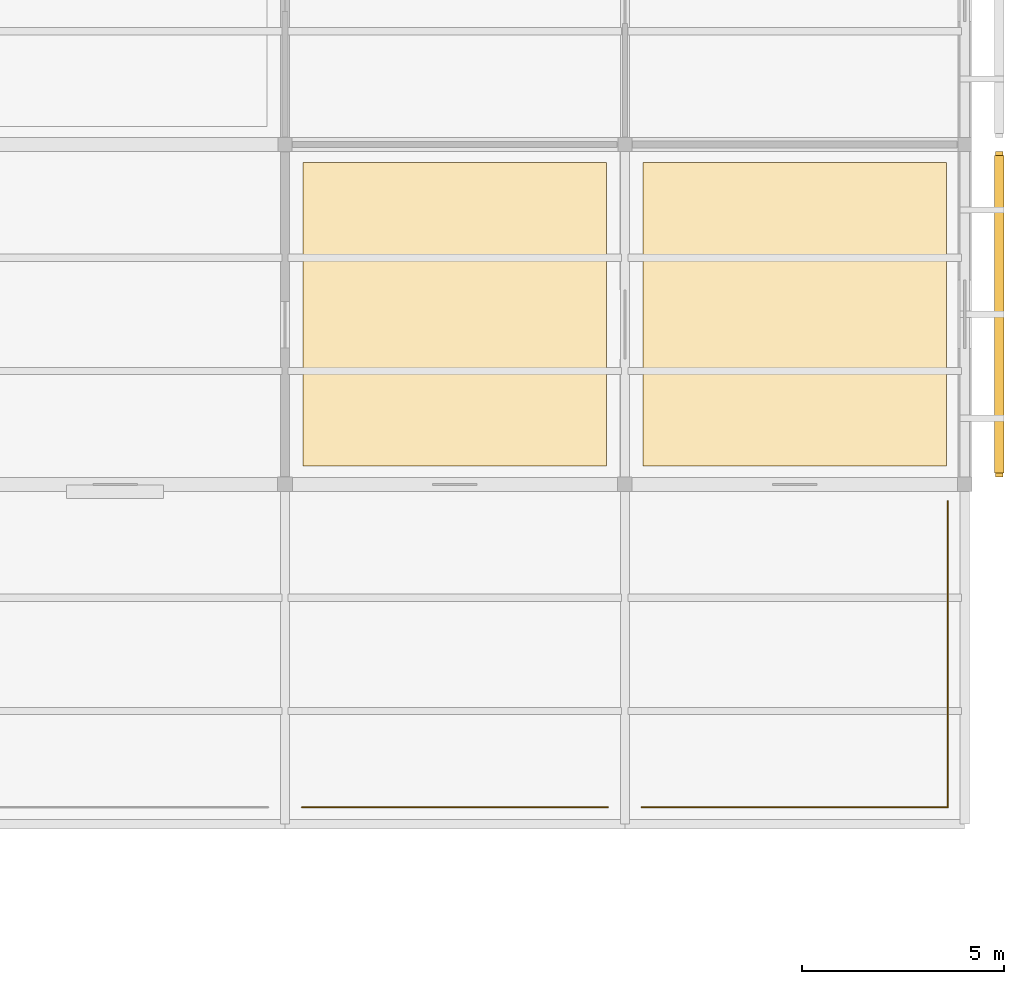
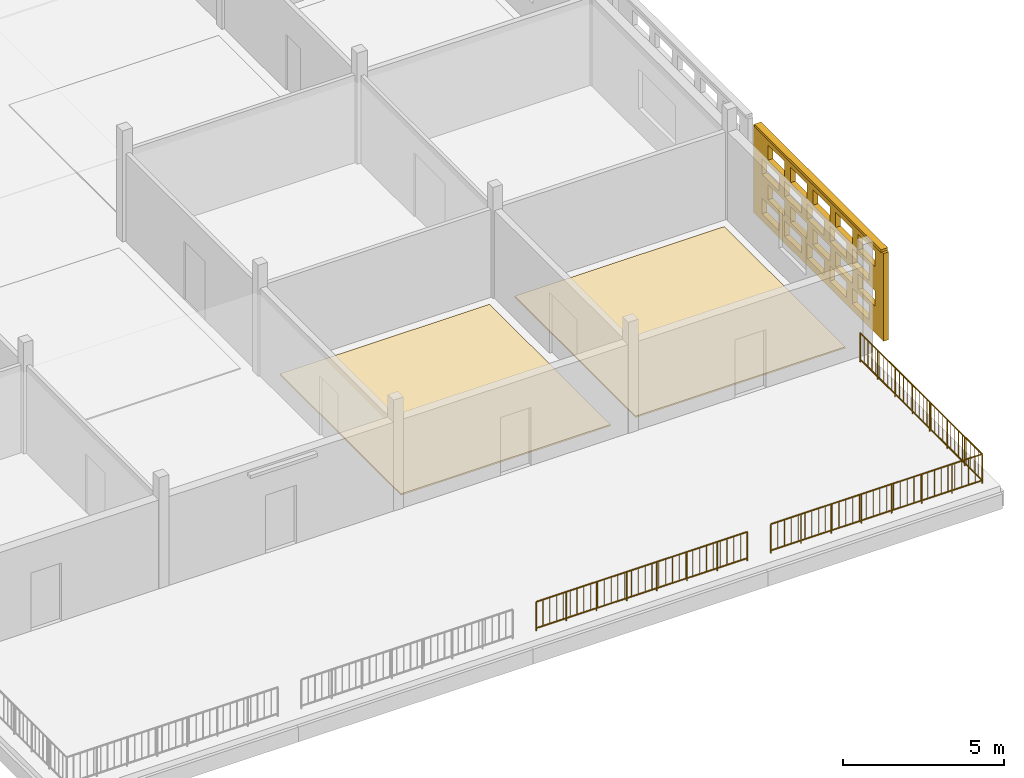
# One storey, part 97 of 103: 3 coverings, 3 railings, 1 shading device, 20 openings.
"""IFC4 building model written with IfcOpenShell, lengths in metres."""

from ifc_helpers import new_model, si_unit, direction, frame, frame_2d, origin, origin_2d, place, context, subcontext, project, spatial, rectangle, circle, extrude, material, layer, layer_set, type_object, element, save


model = new_model("IFC4")

# Units and contexts
model_context = context("Model", 3, precision=1e-05, world=origin(), true_north=direction((0.0, 1.0)))
body_context = subcontext(model_context, "Body", "Model", "MODEL_VIEW")
ifc_project = project(units=[si_unit("LENGTHUNIT", "METRE"), si_unit("AREAUNIT", "SQUARE_METRE"), si_unit("VOLUMEUNIT", "CUBIC_METRE"), si_unit("PLANEANGLEUNIT", "RADIAN"), si_unit("MASSUNIT", "GRAM", prefix="KILO")], contexts=[model_context])

# Site, building, storey
site_placement = place(None, origin())
site = spatial("IfcSite", under=ifc_project, at=site_placement, CompositionType="ELEMENT")
building_placement = place(site_placement, origin())
building = spatial("IfcBuilding", under=site, at=building_placement, Name="Varnapada Polytechnic", CompositionType="ELEMENT")
storey_placement = place(building_placement, frame((0.0, 0.0, 18.0)))
storey = spatial("IfcBuildingStorey", under=building, at=storey_placement, Name="L04", CompositionType="ELEMENT", Elevation=18.0)

# Coverings
ifc_material_1 = material(Name="End-Grain Timber Studio Block Flooring", Category="wood")
ifc_layer_1 = layer(ifc_material_1, 0.054931640625)
ifc_layer_set_1 = layer_set([ifc_layer_1], Name="End-Grain Timber Studio Block Flooring")
covering_type_1 = type_object("IfcCoveringType", Name="Floor Finish FLR-04", PredefinedType="FLOORING", material=ifc_layer_set_1)
for number, where, z_axis, x_axis, name in (
    (1, (163.800048828125, 71.39990234375, 0.0), (0.0, 0.0, 1.0), (1.0, 0.0, 0.0), "L04 floor finish panel (20,9)"),
    (2, (172.199951171875, 71.39990234375, 0.0), (0.0, 0.0, 1.0), (1.0, 0.0, 0.0), "L04 floor finish panel (21,9)"),
):
    element("IfcCovering", number, at=place(storey_placement, frame(where, z_axis=z_axis, x_axis=x_axis)), inside=storey, type_object=covering_type_1, Name=name, PredefinedType="FLOORING", context=body_context, shape_type="SweptSolid", body=[
        extrude(rectangle(XDim=7.5, YDim=7.5, at=origin_2d()), origin(), (0.0, 0.0, 1.0), 0.054931640625),
    ])

# Railings
ifc_material_2 = material(Name="Painted galvanized steel", Category="steel")
railing_type = type_object("IfcRailingType", Name="Terrace Guard Rail GRD-01", PredefinedType="BALUSTRADE", material=ifc_material_2)
railing_1_placement = place(storey_placement, frame((160.02001953125, 59.219970703125, 0.0)))
element("IfcRailing", 3, at=railing_1_placement, inside=storey, type_object=railing_type, Name="L04 terrace perimeter guard rail 9", PredefinedType="BALUSTRADE", context=body_context, shape_type="SweptSolid", body=[
    extrude(circle(Radius=0.02392578125, at=origin_2d()), frame((0.0, 0.0, 1.09619140625), z_axis=(1.0, 0.0, 0.0), x_axis=(0.0, 1.0, 0.0)), (0.0, 0.0, 1.0), 7.56005859375),
    extrude(circle(Radius=0.02392578125, at=origin_2d()), frame((0.0, 0.0, 0.10009765625), z_axis=(1.0, 0.0, 0.0), x_axis=(0.0, 1.0, 0.0)), (0.0, 0.0, 1.0), 7.56005859375),
    extrude(circle(Radius=0.02099609375, at=origin_2d()), origin(), (0.0, 0.0, 1.0), 1.072021484375),
    extrude(circle(Radius=0.02099609375, at=origin_2d()), frame((1.080078125, 0.0, 0.0)), (0.0, 0.0, 1.0), 1.072021484375),
    extrude(circle(Radius=0.02099609375, at=origin_2d()), frame((2.159912109375, 0.0, 0.0)), (0.0, 0.0, 1.0), 1.072021484375),
    extrude(circle(Radius=0.02099609375, at=origin_2d()), frame((3.239990234375, 0.0, 0.0)), (0.0, 0.0, 1.0), 1.072021484375),
    extrude(circle(Radius=0.02099609375, at=origin_2d()), frame((4.320068359375, 0.0, 0.0)), (0.0, 0.0, 1.0), 1.072021484375),
    extrude(circle(Radius=0.02099609375, at=origin_2d()), frame((5.400146484375, 0.0, 0.0)), (0.0, 0.0, 1.0), 1.072021484375),
    extrude(circle(Radius=0.02099609375, at=origin_2d()), frame((6.47998046875, 0.0, 0.0)), (0.0, 0.0, 1.0), 1.072021484375),
    extrude(circle(Radius=0.02099609375, at=origin_2d()), frame((7.56005859375, 0.0, 0.0)), (0.0, 0.0, 1.0), 1.072021484375),
    extrude(circle(Radius=0.010009765625, at=origin_2d()), frame((0.243896484375, 0.0, 0.10009765625)), (0.0, 0.0, 1.0), 0.971923828125),
    extrude(circle(Radius=0.010009765625, at=origin_2d()), frame((0.48779296875, 0.0, 0.10009765625)), (0.0, 0.0, 1.0), 0.971923828125),
    extrude(circle(Radius=0.010009765625, at=origin_2d()), frame((0.731689453125, 0.0, 0.10009765625)), (0.0, 0.0, 1.0), 0.971923828125),
    extrude(circle(Radius=0.010009765625, at=origin_2d()), frame((0.9755859375, 0.0, 0.10009765625)), (0.0, 0.0, 1.0), 0.971923828125),
    extrude(circle(Radius=0.010009765625, at=origin_2d()), frame((1.219482421875, 0.0, 0.10009765625)), (0.0, 0.0, 1.0), 0.971923828125),
    extrude(circle(Radius=0.010009765625, at=origin_2d()), frame((1.463134765625, 0.0, 0.10009765625)), (0.0, 0.0, 1.0), 0.971923828125),
    extrude(circle(Radius=0.010009765625, at=origin_2d()), frame((1.70703125, 0.0, 0.10009765625)), (0.0, 0.0, 1.0), 0.971923828125),
    extrude(circle(Radius=0.010009765625, at=origin_2d()), frame((1.950927734375, 0.0, 0.10009765625)), (0.0, 0.0, 1.0), 0.971923828125),
    extrude(circle(Radius=0.010009765625, at=origin_2d()), frame((2.19482421875, 0.0, 0.10009765625)), (0.0, 0.0, 1.0), 0.971923828125),
    extrude(circle(Radius=0.010009765625, at=origin_2d()), frame((2.438720703125, 0.0, 0.10009765625)), (0.0, 0.0, 1.0), 0.971923828125),
    extrude(circle(Radius=0.010009765625, at=origin_2d()), frame((2.6826171875, 0.0, 0.10009765625)), (0.0, 0.0, 1.0), 0.971923828125),
    extrude(circle(Radius=0.010009765625, at=origin_2d()), frame((2.926513671875, 0.0, 0.10009765625)), (0.0, 0.0, 1.0), 0.971923828125),
    extrude(circle(Radius=0.010009765625, at=origin_2d()), frame((3.17041015625, 0.0, 0.10009765625)), (0.0, 0.0, 1.0), 0.971923828125),
    extrude(circle(Radius=0.010009765625, at=origin_2d()), frame((3.414306640625, 0.0, 0.10009765625)), (0.0, 0.0, 1.0), 0.971923828125),
    extrude(circle(Radius=0.010009765625, at=origin_2d()), frame((3.658203125, 0.0, 0.10009765625)), (0.0, 0.0, 1.0), 0.971923828125),
    extrude(circle(Radius=0.010009765625, at=origin_2d()), frame((3.90185546875, 0.0, 0.10009765625)), (0.0, 0.0, 1.0), 0.971923828125),
    extrude(circle(Radius=0.010009765625, at=origin_2d()), frame((4.145751953125, 0.0, 0.10009765625)), (0.0, 0.0, 1.0), 0.971923828125),
    extrude(circle(Radius=0.010009765625, at=origin_2d()), frame((4.3896484375, 0.0, 0.10009765625)), (0.0, 0.0, 1.0), 0.971923828125),
    extrude(circle(Radius=0.010009765625, at=origin_2d()), frame((4.633544921875, 0.0, 0.10009765625)), (0.0, 0.0, 1.0), 0.971923828125),
    extrude(circle(Radius=0.010009765625, at=origin_2d()), frame((4.87744140625, 0.0, 0.10009765625)), (0.0, 0.0, 1.0), 0.971923828125),
    extrude(circle(Radius=0.010009765625, at=origin_2d()), frame((5.121337890625, 0.0, 0.10009765625)), (0.0, 0.0, 1.0), 0.971923828125),
    extrude(circle(Radius=0.010009765625, at=origin_2d()), frame((5.365234375, 0.0, 0.10009765625)), (0.0, 0.0, 1.0), 0.971923828125),
    extrude(circle(Radius=0.010009765625, at=origin_2d()), frame((5.609130859375, 0.0, 0.10009765625)), (0.0, 0.0, 1.0), 0.971923828125),
    extrude(circle(Radius=0.010009765625, at=origin_2d()), frame((5.85302734375, 0.0, 0.10009765625)), (0.0, 0.0, 1.0), 0.971923828125),
    extrude(circle(Radius=0.010009765625, at=origin_2d()), frame((6.096923828125, 0.0, 0.10009765625)), (0.0, 0.0, 1.0), 0.971923828125),
    extrude(circle(Radius=0.010009765625, at=origin_2d()), frame((6.340576171875, 0.0, 0.10009765625)), (0.0, 0.0, 1.0), 0.971923828125),
    extrude(circle(Radius=0.010009765625, at=origin_2d()), frame((6.58447265625, 0.0, 0.10009765625)), (0.0, 0.0, 1.0), 0.971923828125),
    extrude(circle(Radius=0.010009765625, at=origin_2d()), frame((6.828369140625, 0.0, 0.10009765625)), (0.0, 0.0, 1.0), 0.971923828125),
    extrude(circle(Radius=0.010009765625, at=origin_2d()), frame((7.072265625, 0.0, 0.10009765625)), (0.0, 0.0, 1.0), 0.971923828125),
    extrude(circle(Radius=0.010009765625, at=origin_2d()), frame((7.316162109375, 0.0, 0.10009765625)), (0.0, 0.0, 1.0), 0.971923828125),
])
railing_2_placement = place(storey_placement, frame((168.419921875, 59.219970703125, 0.0)))
element("IfcRailing", 4, at=railing_2_placement, inside=storey, type_object=railing_type, Name="L04 terrace perimeter guard rail 10", PredefinedType="BALUSTRADE", context=body_context, shape_type="SweptSolid", body=[
    extrude(circle(Radius=0.02392578125, at=origin_2d()), frame((0.0, 0.0, 1.09619140625), z_axis=(1.0, 0.0, 0.0), x_axis=(0.0, 1.0, 0.0)), (0.0, 0.0, 1.0), 7.56005859375),
    extrude(circle(Radius=0.02392578125, at=origin_2d()), frame((0.0, 0.0, 0.10009765625), z_axis=(1.0, 0.0, 0.0), x_axis=(0.0, 1.0, 0.0)), (0.0, 0.0, 1.0), 7.56005859375),
    extrude(circle(Radius=0.02099609375, at=origin_2d()), origin(), (0.0, 0.0, 1.0), 1.072021484375),
    extrude(circle(Radius=0.02099609375, at=origin_2d()), frame((1.080078125, 0.0, 0.0)), (0.0, 0.0, 1.0), 1.072021484375),
    extrude(circle(Radius=0.02099609375, at=origin_2d()), frame((2.159912109375, 0.0, 0.0)), (0.0, 0.0, 1.0), 1.072021484375),
    extrude(circle(Radius=0.02099609375, at=origin_2d()), frame((3.239990234375, 0.0, 0.0)), (0.0, 0.0, 1.0), 1.072021484375),
    extrude(circle(Radius=0.02099609375, at=origin_2d()), frame((4.320068359375, 0.0, 0.0)), (0.0, 0.0, 1.0), 1.072021484375),
    extrude(circle(Radius=0.02099609375, at=origin_2d()), frame((5.400146484375, 0.0, 0.0)), (0.0, 0.0, 1.0), 1.072021484375),
    extrude(circle(Radius=0.02099609375, at=origin_2d()), frame((6.47998046875, 0.0, 0.0)), (0.0, 0.0, 1.0), 1.072021484375),
    extrude(circle(Radius=0.02099609375, at=origin_2d()), frame((7.56005859375, 0.0, 0.0)), (0.0, 0.0, 1.0), 1.072021484375),
    extrude(circle(Radius=0.010009765625, at=origin_2d()), frame((0.243896484375, 0.0, 0.10009765625)), (0.0, 0.0, 1.0), 0.971923828125),
    extrude(circle(Radius=0.010009765625, at=origin_2d()), frame((0.48779296875, 0.0, 0.10009765625)), (0.0, 0.0, 1.0), 0.971923828125),
    extrude(circle(Radius=0.010009765625, at=origin_2d()), frame((0.731689453125, 0.0, 0.10009765625)), (0.0, 0.0, 1.0), 0.971923828125),
    extrude(circle(Radius=0.010009765625, at=origin_2d()), frame((0.9755859375, 0.0, 0.10009765625)), (0.0, 0.0, 1.0), 0.971923828125),
    extrude(circle(Radius=0.010009765625, at=origin_2d()), frame((1.219482421875, 0.0, 0.10009765625)), (0.0, 0.0, 1.0), 0.971923828125),
    extrude(circle(Radius=0.010009765625, at=origin_2d()), frame((1.463134765625, 0.0, 0.10009765625)), (0.0, 0.0, 1.0), 0.971923828125),
    extrude(circle(Radius=0.010009765625, at=origin_2d()), frame((1.70703125, 0.0, 0.10009765625)), (0.0, 0.0, 1.0), 0.971923828125),
    extrude(circle(Radius=0.010009765625, at=origin_2d()), frame((1.950927734375, 0.0, 0.10009765625)), (0.0, 0.0, 1.0), 0.971923828125),
    extrude(circle(Radius=0.010009765625, at=origin_2d()), frame((2.19482421875, 0.0, 0.10009765625)), (0.0, 0.0, 1.0), 0.971923828125),
    extrude(circle(Radius=0.010009765625, at=origin_2d()), frame((2.438720703125, 0.0, 0.10009765625)), (0.0, 0.0, 1.0), 0.971923828125),
    extrude(circle(Radius=0.010009765625, at=origin_2d()), frame((2.6826171875, 0.0, 0.10009765625)), (0.0, 0.0, 1.0), 0.971923828125),
    extrude(circle(Radius=0.010009765625, at=origin_2d()), frame((2.926513671875, 0.0, 0.10009765625)), (0.0, 0.0, 1.0), 0.971923828125),
    extrude(circle(Radius=0.010009765625, at=origin_2d()), frame((3.17041015625, 0.0, 0.10009765625)), (0.0, 0.0, 1.0), 0.971923828125),
    extrude(circle(Radius=0.010009765625, at=origin_2d()), frame((3.414306640625, 0.0, 0.10009765625)), (0.0, 0.0, 1.0), 0.971923828125),
    extrude(circle(Radius=0.010009765625, at=origin_2d()), frame((3.658203125, 0.0, 0.10009765625)), (0.0, 0.0, 1.0), 0.971923828125),
    extrude(circle(Radius=0.010009765625, at=origin_2d()), frame((3.90185546875, 0.0, 0.10009765625)), (0.0, 0.0, 1.0), 0.971923828125),
    extrude(circle(Radius=0.010009765625, at=origin_2d()), frame((4.145751953125, 0.0, 0.10009765625)), (0.0, 0.0, 1.0), 0.971923828125),
    extrude(circle(Radius=0.010009765625, at=origin_2d()), frame((4.3896484375, 0.0, 0.10009765625)), (0.0, 0.0, 1.0), 0.971923828125),
    extrude(circle(Radius=0.010009765625, at=origin_2d()), frame((4.633544921875, 0.0, 0.10009765625)), (0.0, 0.0, 1.0), 0.971923828125),
    extrude(circle(Radius=0.010009765625, at=origin_2d()), frame((4.87744140625, 0.0, 0.10009765625)), (0.0, 0.0, 1.0), 0.971923828125),
    extrude(circle(Radius=0.010009765625, at=origin_2d()), frame((5.121337890625, 0.0, 0.10009765625)), (0.0, 0.0, 1.0), 0.971923828125),
    extrude(circle(Radius=0.010009765625, at=origin_2d()), frame((5.365234375, 0.0, 0.10009765625)), (0.0, 0.0, 1.0), 0.971923828125),
    extrude(circle(Radius=0.010009765625, at=origin_2d()), frame((5.609130859375, 0.0, 0.10009765625)), (0.0, 0.0, 1.0), 0.971923828125),
    extrude(circle(Radius=0.010009765625, at=origin_2d()), frame((5.85302734375, 0.0, 0.10009765625)), (0.0, 0.0, 1.0), 0.971923828125),
    extrude(circle(Radius=0.010009765625, at=origin_2d()), frame((6.096923828125, 0.0, 0.10009765625)), (0.0, 0.0, 1.0), 0.971923828125),
    extrude(circle(Radius=0.010009765625, at=origin_2d()), frame((6.340576171875, 0.0, 0.10009765625)), (0.0, 0.0, 1.0), 0.971923828125),
    extrude(circle(Radius=0.010009765625, at=origin_2d()), frame((6.58447265625, 0.0, 0.10009765625)), (0.0, 0.0, 1.0), 0.971923828125),
    extrude(circle(Radius=0.010009765625, at=origin_2d()), frame((6.828369140625, 0.0, 0.10009765625)), (0.0, 0.0, 1.0), 0.971923828125),
    extrude(circle(Radius=0.010009765625, at=origin_2d()), frame((7.072265625, 0.0, 0.10009765625)), (0.0, 0.0, 1.0), 0.971923828125),
    extrude(circle(Radius=0.010009765625, at=origin_2d()), frame((7.316162109375, 0.0, 0.10009765625)), (0.0, 0.0, 1.0), 0.971923828125),
])
railing_3_placement = place(storey_placement, frame((175.97998046875, 59.219970703125, 0.0)))
element("IfcRailing", 5, at=railing_3_placement, inside=storey, type_object=railing_type, Name="L04 terrace perimeter guard rail 11", PredefinedType="BALUSTRADE", context=body_context, shape_type="SweptSolid", body=[
    extrude(circle(Radius=0.02392578125, at=origin_2d()), frame((0.0, 0.0, 1.09619140625), z_axis=(0.0, 1.0, 0.0), x_axis=(-1.0, 0.0, 0.0)), (0.0, 0.0, 1.0), 7.56005859375),
    extrude(circle(Radius=0.02392578125, at=origin_2d()), frame((0.0, 0.0, 0.10009765625), z_axis=(0.0, 1.0, 0.0), x_axis=(-1.0, 0.0, 0.0)), (0.0, 0.0, 1.0), 7.56005859375),
    extrude(circle(Radius=0.02099609375, at=origin_2d()), origin(), (0.0, 0.0, 1.0), 1.072021484375),
    extrude(circle(Radius=0.02099609375, at=origin_2d()), frame((0.0, 1.080078125, 0.0)), (0.0, 0.0, 1.0), 1.072021484375),
    extrude(circle(Radius=0.02099609375, at=origin_2d()), frame((0.0, 2.159912109375, 0.0)), (0.0, 0.0, 1.0), 1.072021484375),
    extrude(circle(Radius=0.02099609375, at=origin_2d()), frame((0.0, 3.239990234375, 0.0)), (0.0, 0.0, 1.0), 1.072021484375),
    extrude(circle(Radius=0.02099609375, at=origin_2d()), frame((0.0, 4.320068359375, 0.0)), (0.0, 0.0, 1.0), 1.072021484375),
    extrude(circle(Radius=0.02099609375, at=origin_2d()), frame((0.0, 5.400146484375, 0.0)), (0.0, 0.0, 1.0), 1.072021484375),
    extrude(circle(Radius=0.02099609375, at=origin_2d()), frame((0.0, 6.47998046875, 0.0)), (0.0, 0.0, 1.0), 1.072021484375),
    extrude(circle(Radius=0.02099609375, at=origin_2d()), frame((0.0, 7.56005859375, 0.0)), (0.0, 0.0, 1.0), 1.072021484375),
    extrude(circle(Radius=0.010009765625, at=origin_2d()), frame((0.0, 0.243896484375, 0.10009765625)), (0.0, 0.0, 1.0), 0.971923828125),
    extrude(circle(Radius=0.010009765625, at=origin_2d()), frame((0.0, 0.48779296875, 0.10009765625)), (0.0, 0.0, 1.0), 0.971923828125),
    extrude(circle(Radius=0.010009765625, at=origin_2d()), frame((0.0, 0.731689453125, 0.10009765625)), (0.0, 0.0, 1.0), 0.971923828125),
    extrude(circle(Radius=0.010009765625, at=origin_2d()), frame((0.0, 0.9755859375, 0.10009765625)), (0.0, 0.0, 1.0), 0.971923828125),
    extrude(circle(Radius=0.010009765625, at=origin_2d()), frame((0.0, 1.219482421875, 0.10009765625)), (0.0, 0.0, 1.0), 0.971923828125),
    extrude(circle(Radius=0.010009765625, at=origin_2d()), frame((0.0, 1.463134765625, 0.10009765625)), (0.0, 0.0, 1.0), 0.971923828125),
    extrude(circle(Radius=0.010009765625, at=origin_2d()), frame((0.0, 1.70703125, 0.10009765625)), (0.0, 0.0, 1.0), 0.971923828125),
    extrude(circle(Radius=0.010009765625, at=origin_2d()), frame((0.0, 1.950927734375, 0.10009765625)), (0.0, 0.0, 1.0), 0.971923828125),
    extrude(circle(Radius=0.010009765625, at=origin_2d()), frame((0.0, 2.19482421875, 0.10009765625)), (0.0, 0.0, 1.0), 0.971923828125),
    extrude(circle(Radius=0.010009765625, at=origin_2d()), frame((0.0, 2.438720703125, 0.10009765625)), (0.0, 0.0, 1.0), 0.971923828125),
    extrude(circle(Radius=0.010009765625, at=origin_2d()), frame((0.0, 2.6826171875, 0.10009765625)), (0.0, 0.0, 1.0), 0.971923828125),
    extrude(circle(Radius=0.010009765625, at=origin_2d()), frame((0.0, 2.926513671875, 0.10009765625)), (0.0, 0.0, 1.0), 0.971923828125),
    extrude(circle(Radius=0.010009765625, at=origin_2d()), frame((0.0, 3.17041015625, 0.10009765625)), (0.0, 0.0, 1.0), 0.971923828125),
    extrude(circle(Radius=0.010009765625, at=origin_2d()), frame((0.0, 3.414306640625, 0.10009765625)), (0.0, 0.0, 1.0), 0.971923828125),
    extrude(circle(Radius=0.010009765625, at=origin_2d()), frame((0.0, 3.658203125, 0.10009765625)), (0.0, 0.0, 1.0), 0.971923828125),
    extrude(circle(Radius=0.010009765625, at=origin_2d()), frame((0.0, 3.90185546875, 0.10009765625)), (0.0, 0.0, 1.0), 0.971923828125),
    extrude(circle(Radius=0.010009765625, at=origin_2d()), frame((0.0, 4.145751953125, 0.10009765625)), (0.0, 0.0, 1.0), 0.971923828125),
    extrude(circle(Radius=0.010009765625, at=origin_2d()), frame((0.0, 4.3896484375, 0.10009765625)), (0.0, 0.0, 1.0), 0.971923828125),
    extrude(circle(Radius=0.010009765625, at=origin_2d()), frame((0.0, 4.633544921875, 0.10009765625)), (0.0, 0.0, 1.0), 0.971923828125),
    extrude(circle(Radius=0.010009765625, at=origin_2d()), frame((0.0, 4.87744140625, 0.10009765625)), (0.0, 0.0, 1.0), 0.971923828125),
    extrude(circle(Radius=0.010009765625, at=origin_2d()), frame((0.0, 5.121337890625, 0.10009765625)), (0.0, 0.0, 1.0), 0.971923828125),
    extrude(circle(Radius=0.010009765625, at=origin_2d()), frame((0.0, 5.365234375, 0.10009765625)), (0.0, 0.0, 1.0), 0.971923828125),
    extrude(circle(Radius=0.010009765625, at=origin_2d()), frame((0.0, 5.609130859375, 0.10009765625)), (0.0, 0.0, 1.0), 0.971923828125),
    extrude(circle(Radius=0.010009765625, at=origin_2d()), frame((0.0, 5.85302734375, 0.10009765625)), (0.0, 0.0, 1.0), 0.971923828125),
    extrude(circle(Radius=0.010009765625, at=origin_2d()), frame((0.0, 6.096923828125, 0.10009765625)), (0.0, 0.0, 1.0), 0.971923828125),
    extrude(circle(Radius=0.010009765625, at=origin_2d()), frame((0.0, 6.340576171875, 0.10009765625)), (0.0, 0.0, 1.0), 0.971923828125),
    extrude(circle(Radius=0.010009765625, at=origin_2d()), frame((0.0, 6.58447265625, 0.10009765625)), (0.0, 0.0, 1.0), 0.971923828125),
    extrude(circle(Radius=0.010009765625, at=origin_2d()), frame((0.0, 6.828369140625, 0.10009765625)), (0.0, 0.0, 1.0), 0.971923828125),
    extrude(circle(Radius=0.010009765625, at=origin_2d()), frame((0.0, 7.072265625, 0.10009765625)), (0.0, 0.0, 1.0), 0.971923828125),
    extrude(circle(Radius=0.010009765625, at=origin_2d()), frame((0.0, 7.316162109375, 0.10009765625)), (0.0, 0.0, 1.0), 0.971923828125),
])

# Covering, openings
ifc_material_3 = material(Name="Earth-toned architectural terracotta screen block", Category="masonry")
ifc_layer_2 = layer(ifc_material_3, 0.1201171875)
ifc_layer_set_2 = layer_set([ifc_layer_2], Name="Earth-toned architectural terracotta screen block")
covering_type_2 = type_object("IfcCoveringType", Name="Terracotta Screen Cladding CLD-01", PredefinedType="CLADDING", material=ifc_layer_set_2)
covering_placement = place(storey_placement, frame((177.25, 75.429931640625, 0.0), z_axis=(0.0, 0.0, 1.0), x_axis=(0.0, -1.0, 0.0)))
covering = element("IfcCovering", 6, at=covering_placement, inside=storey, type_object=covering_type_2, Name="L04 perforated terracotta block screen (54)", PredefinedType="CLADDING", context=body_context, shape_type="SweptSolid", body=[
    extrude(rectangle(XDim=8.050048828125, YDim=0.179931640625, at=frame_2d((4.02490234375, 0.0))), origin(), (0.0, 0.0, 1.0), 3.320068359375),
])
opening_1_placement = place(covering_placement, frame((0.52490234375, 0.0, 0.265625)))
element("IfcOpeningElement", 7, at=opening_1_placement, cuts=covering, Name="Screen perforation TBS-L04-053.1", PredefinedType="OPENING", context=body_context, shape_type="SweptSolid", body=[
    extrude(rectangle(XDim=1.0400390625, YDim=0.5810546875, at=frame_2d((0.52001953125, 0.29052734375))), frame((0.0, 0.099853515625, 0.0), z_axis=(0.0, -1.0, 0.0), x_axis=(1.0, 0.0, 0.0)), (0.0, 0.0, 1.0), 0.199951171875),
])
opening_2_placement = place(covering_placement, frame((1.925048828125, 0.0, 0.265625)))
element("IfcOpeningElement", 8, at=opening_2_placement, cuts=covering, Name="Screen perforation TBS-L04-053.2", PredefinedType="OPENING", context=body_context, shape_type="SweptSolid", body=[
    extrude(rectangle(XDim=1.0400390625, YDim=0.5810546875, at=frame_2d((0.52001953125, 0.29052734375))), frame((0.0, 0.099853515625, 0.0), z_axis=(0.0, -1.0, 0.0), x_axis=(1.0, 0.0, 0.0)), (0.0, 0.0, 1.0), 0.199951171875),
])
opening_3_placement = place(covering_placement, frame((3.324951171875, 0.0, 0.265625)))
element("IfcOpeningElement", 9, at=opening_3_placement, cuts=covering, Name="Screen perforation TBS-L04-053.3", PredefinedType="OPENING", context=body_context, shape_type="SweptSolid", body=[
    extrude(rectangle(XDim=1.0400390625, YDim=0.5810546875, at=frame_2d((0.52001953125, 0.29052734375))), frame((0.0, 0.099853515625, 0.0), z_axis=(0.0, -1.0, 0.0), x_axis=(1.0, 0.0, 0.0)), (0.0, 0.0, 1.0), 0.199951171875),
])
opening_4_placement = place(covering_placement, frame((4.72509765625, 0.0, 0.265625)))
element("IfcOpeningElement", 10, at=opening_4_placement, cuts=covering, Name="Screen perforation TBS-L04-053.4", PredefinedType="OPENING", context=body_context, shape_type="SweptSolid", body=[
    extrude(rectangle(XDim=1.0400390625, YDim=0.5810546875, at=frame_2d((0.52001953125, 0.29052734375))), frame((0.0, 0.099853515625, 0.0), z_axis=(0.0, -1.0, 0.0), x_axis=(1.0, 0.0, 0.0)), (0.0, 0.0, 1.0), 0.199951171875),
])
opening_5_placement = place(covering_placement, frame((6.125, 0.0, 0.265625)))
element("IfcOpeningElement", 11, at=opening_5_placement, cuts=covering, Name="Screen perforation TBS-L04-053.5", PredefinedType="OPENING", context=body_context, shape_type="SweptSolid", body=[
    extrude(rectangle(XDim=1.0400390625, YDim=0.5810546875, at=frame_2d((0.52001953125, 0.29052734375))), frame((0.0, 0.099853515625, 0.0), z_axis=(0.0, -1.0, 0.0), x_axis=(1.0, 0.0, 0.0)), (0.0, 0.0, 1.0), 0.199951171875),
])
opening_6_placement = place(covering_placement, frame((0.885009765625, 0.0, 1.0126953125)))
element("IfcOpeningElement", 12, at=opening_6_placement, cuts=covering, Name="Screen perforation TBS-L04-053.6", PredefinedType="OPENING", context=body_context, shape_type="SweptSolid", body=[
    extrude(rectangle(XDim=1.0400390625, YDim=0.5810546875, at=frame_2d((0.52001953125, 0.29052734375))), frame((0.0, 0.099853515625, 0.0), z_axis=(0.0, -1.0, 0.0), x_axis=(1.0, 0.0, 0.0)), (0.0, 0.0, 1.0), 0.199951171875),
])
opening_7_placement = place(covering_placement, frame((2.284912109375, 0.0, 1.0126953125)))
element("IfcOpeningElement", 13, at=opening_7_placement, cuts=covering, Name="Screen perforation TBS-L04-053.7", PredefinedType="OPENING", context=body_context, shape_type="SweptSolid", body=[
    extrude(rectangle(XDim=1.0400390625, YDim=0.5810546875, at=frame_2d((0.52001953125, 0.29052734375))), frame((0.0, 0.099853515625, 0.0), z_axis=(0.0, -1.0, 0.0), x_axis=(1.0, 0.0, 0.0)), (0.0, 0.0, 1.0), 0.199951171875),
])
opening_8_placement = place(covering_placement, frame((3.68505859375, 0.0, 1.0126953125)))
element("IfcOpeningElement", 14, at=opening_8_placement, cuts=covering, Name="Screen perforation TBS-L04-053.8", PredefinedType="OPENING", context=body_context, shape_type="SweptSolid", body=[
    extrude(rectangle(XDim=1.0400390625, YDim=0.5810546875, at=frame_2d((0.52001953125, 0.29052734375))), frame((0.0, 0.099853515625, 0.0), z_axis=(0.0, -1.0, 0.0), x_axis=(1.0, 0.0, 0.0)), (0.0, 0.0, 1.0), 0.199951171875),
])
opening_9_placement = place(covering_placement, frame((5.0849609375, 0.0, 1.0126953125)))
element("IfcOpeningElement", 15, at=opening_9_placement, cuts=covering, Name="Screen perforation TBS-L04-053.9", PredefinedType="OPENING", context=body_context, shape_type="SweptSolid", body=[
    extrude(rectangle(XDim=1.0400390625, YDim=0.5810546875, at=frame_2d((0.52001953125, 0.29052734375))), frame((0.0, 0.099853515625, 0.0), z_axis=(0.0, -1.0, 0.0), x_axis=(1.0, 0.0, 0.0)), (0.0, 0.0, 1.0), 0.199951171875),
])
opening_10_placement = place(covering_placement, frame((6.485107421875, 0.0, 1.0126953125)))
element("IfcOpeningElement", 16, at=opening_10_placement, cuts=covering, Name="Screen perforation TBS-L04-053.10", PredefinedType="OPENING", context=body_context, shape_type="SweptSolid", body=[
    extrude(rectangle(XDim=1.0400390625, YDim=0.5810546875, at=frame_2d((0.52001953125, 0.29052734375))), frame((0.0, 0.099853515625, 0.0), z_axis=(0.0, -1.0, 0.0), x_axis=(1.0, 0.0, 0.0)), (0.0, 0.0, 1.0), 0.199951171875),
])
opening_11_placement = place(covering_placement, frame((0.52490234375, 0.0, 1.759521484375)))
element("IfcOpeningElement", 17, at=opening_11_placement, cuts=covering, Name="Screen perforation TBS-L04-053.11", PredefinedType="OPENING", context=body_context, shape_type="SweptSolid", body=[
    extrude(rectangle(XDim=1.0400390625, YDim=0.5810546875, at=frame_2d((0.52001953125, 0.29052734375))), frame((0.0, 0.099853515625, 0.0), z_axis=(0.0, -1.0, 0.0), x_axis=(1.0, 0.0, 0.0)), (0.0, 0.0, 1.0), 0.199951171875),
])
opening_12_placement = place(covering_placement, frame((1.925048828125, 0.0, 1.759521484375)))
element("IfcOpeningElement", 18, at=opening_12_placement, cuts=covering, Name="Screen perforation TBS-L04-053.12", PredefinedType="OPENING", context=body_context, shape_type="SweptSolid", body=[
    extrude(rectangle(XDim=1.0400390625, YDim=0.5810546875, at=frame_2d((0.52001953125, 0.29052734375))), frame((0.0, 0.099853515625, 0.0), z_axis=(0.0, -1.0, 0.0), x_axis=(1.0, 0.0, 0.0)), (0.0, 0.0, 1.0), 0.199951171875),
])
opening_13_placement = place(covering_placement, frame((3.324951171875, 0.0, 1.759521484375)))
element("IfcOpeningElement", 19, at=opening_13_placement, cuts=covering, Name="Screen perforation TBS-L04-053.13", PredefinedType="OPENING", context=body_context, shape_type="SweptSolid", body=[
    extrude(rectangle(XDim=1.0400390625, YDim=0.5810546875, at=frame_2d((0.52001953125, 0.29052734375))), frame((0.0, 0.099853515625, 0.0), z_axis=(0.0, -1.0, 0.0), x_axis=(1.0, 0.0, 0.0)), (0.0, 0.0, 1.0), 0.199951171875),
])
opening_14_placement = place(covering_placement, frame((4.72509765625, 0.0, 1.759521484375)))
element("IfcOpeningElement", 20, at=opening_14_placement, cuts=covering, Name="Screen perforation TBS-L04-053.14", PredefinedType="OPENING", context=body_context, shape_type="SweptSolid", body=[
    extrude(rectangle(XDim=1.0400390625, YDim=0.5810546875, at=frame_2d((0.52001953125, 0.29052734375))), frame((0.0, 0.099853515625, 0.0), z_axis=(0.0, -1.0, 0.0), x_axis=(1.0, 0.0, 0.0)), (0.0, 0.0, 1.0), 0.199951171875),
])
opening_15_placement = place(covering_placement, frame((6.125, 0.0, 1.759521484375)))
element("IfcOpeningElement", 21, at=opening_15_placement, cuts=covering, Name="Screen perforation TBS-L04-053.15", PredefinedType="OPENING", context=body_context, shape_type="SweptSolid", body=[
    extrude(rectangle(XDim=1.0400390625, YDim=0.5810546875, at=frame_2d((0.52001953125, 0.29052734375))), frame((0.0, 0.099853515625, 0.0), z_axis=(0.0, -1.0, 0.0), x_axis=(1.0, 0.0, 0.0)), (0.0, 0.0, 1.0), 0.199951171875),
])
opening_16_placement = place(covering_placement, frame((0.885009765625, 0.0, 2.506591796875)))
element("IfcOpeningElement", 22, at=opening_16_placement, cuts=covering, Name="Screen perforation TBS-L04-053.16", PredefinedType="OPENING", context=body_context, shape_type="SweptSolid", body=[
    extrude(rectangle(XDim=1.0400390625, YDim=0.5810546875, at=frame_2d((0.52001953125, 0.29052734375))), frame((0.0, 0.099853515625, 0.0), z_axis=(0.0, -1.0, 0.0), x_axis=(1.0, 0.0, 0.0)), (0.0, 0.0, 1.0), 0.199951171875),
])
opening_17_placement = place(covering_placement, frame((2.284912109375, 0.0, 2.506591796875)))
element("IfcOpeningElement", 23, at=opening_17_placement, cuts=covering, Name="Screen perforation TBS-L04-053.17", PredefinedType="OPENING", context=body_context, shape_type="SweptSolid", body=[
    extrude(rectangle(XDim=1.0400390625, YDim=0.5810546875, at=frame_2d((0.52001953125, 0.29052734375))), frame((0.0, 0.099853515625, 0.0), z_axis=(0.0, -1.0, 0.0), x_axis=(1.0, 0.0, 0.0)), (0.0, 0.0, 1.0), 0.199951171875),
])
opening_18_placement = place(covering_placement, frame((3.68505859375, 0.0, 2.506591796875)))
element("IfcOpeningElement", 24, at=opening_18_placement, cuts=covering, Name="Screen perforation TBS-L04-053.18", PredefinedType="OPENING", context=body_context, shape_type="SweptSolid", body=[
    extrude(rectangle(XDim=1.0400390625, YDim=0.5810546875, at=frame_2d((0.52001953125, 0.29052734375))), frame((0.0, 0.099853515625, 0.0), z_axis=(0.0, -1.0, 0.0), x_axis=(1.0, 0.0, 0.0)), (0.0, 0.0, 1.0), 0.199951171875),
])
opening_19_placement = place(covering_placement, frame((5.0849609375, 0.0, 2.506591796875)))
element("IfcOpeningElement", 25, at=opening_19_placement, cuts=covering, Name="Screen perforation TBS-L04-053.19", PredefinedType="OPENING", context=body_context, shape_type="SweptSolid", body=[
    extrude(rectangle(XDim=1.0400390625, YDim=0.5810546875, at=frame_2d((0.52001953125, 0.29052734375))), frame((0.0, 0.099853515625, 0.0), z_axis=(0.0, -1.0, 0.0), x_axis=(1.0, 0.0, 0.0)), (0.0, 0.0, 1.0), 0.199951171875),
])
opening_20_placement = place(covering_placement, frame((6.485107421875, 0.0, 2.506591796875)))
element("IfcOpeningElement", 26, at=opening_20_placement, cuts=covering, Name="Screen perforation TBS-L04-053.20", PredefinedType="OPENING", context=body_context, shape_type="SweptSolid", body=[
    extrude(rectangle(XDim=1.0400390625, YDim=0.5810546875, at=frame_2d((0.52001953125, 0.29052734375))), frame((0.0, 0.099853515625, 0.0), z_axis=(0.0, -1.0, 0.0), x_axis=(1.0, 0.0, 0.0)), (0.0, 0.0, 1.0), 0.199951171875),
])

# Shading device
ifc_layer_3 = layer(ifc_material_3, 0.179931640625)
ifc_layer_set_3 = layer_set([ifc_layer_3], Name="Earth-toned architectural terracotta screen block")
shading_device_type = type_object("IfcShadingDeviceType", Name="Terracotta Screen SCR-01", PredefinedType="USERDEFINED", material=ifc_layer_set_3)
shading_device_placement = place(storey_placement, frame((177.25, 71.405029296875, 3.31005859375), z_axis=(0.0, 0.0, 1.0), x_axis=(0.0, -1.0, 0.0)))
element("IfcShadingDevice", 27, at=shading_device_placement, inside=storey, type_object=shading_device_type, Name="L04 perforated terracotta screen hood 469", ObjectType="SCREEN", PredefinedType="USERDEFINED", context=body_context, shape_type="SweptSolid", body=[
    extrude(rectangle(XDim=7.85009765625, YDim=0.239990234375, at=origin_2d()), origin(), (0.0, 0.0, 1.0), 0.10009765625),
])

save(model, "model.ifc")
